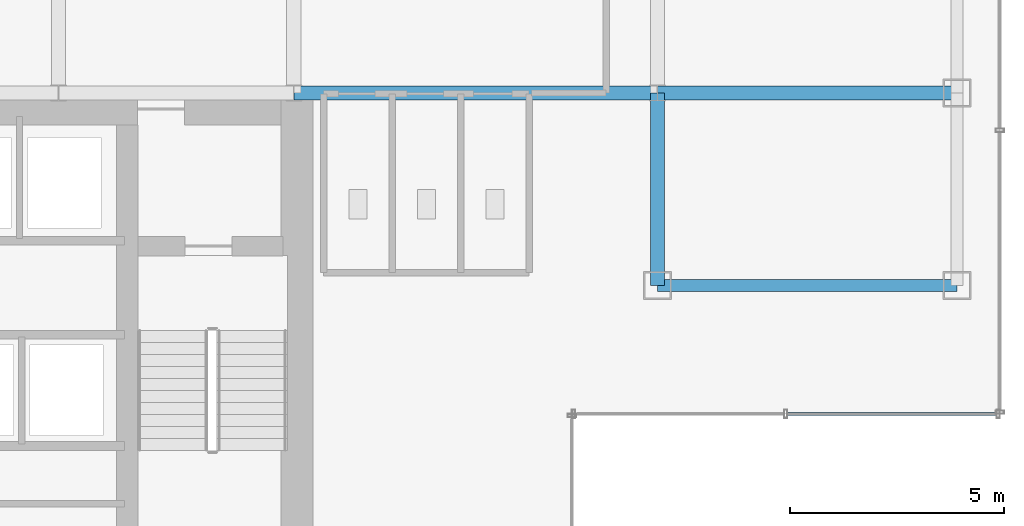
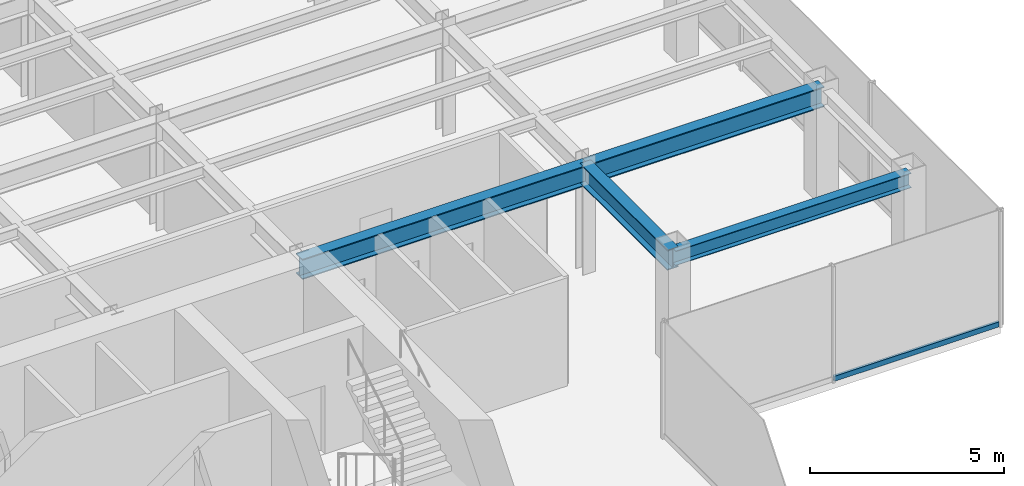
# One storey, part 10 of 25: 4 beams, 1 member, 1 element without a shape of its own.
"""IFC4 building model written with IfcOpenShell, lengths in metres."""

from ifc_helpers import new_model, si_unit, derived_unit, direction, frame, origin, origin_2d, place, context, subcontext, project, spatial, hollow_rectangle, i_section, extrude, source, transform, mapped, material, material_profile, profile_set, type_object, element, aggregate, save


model = new_model("IFC4")

# Units and contexts
model_context = context("Model", 3, precision=1e-05, world=origin(), true_north=direction((0.0, 1.0)))
body_context = subcontext(model_context, "Body", "Model", "MODEL_VIEW")
ifc_project = project(units=[si_unit("LENGTHUNIT", "METRE"), si_unit("AREAUNIT", "SQUARE_METRE"), si_unit("VOLUMEUNIT", "CUBIC_METRE"), si_unit("PLANEANGLEUNIT", "RADIAN"), si_unit("MASSUNIT", "GRAM", prefix="KILO"), derived_unit("THERMALTRANSMITTANCEUNIT", [(si_unit("POWERUNIT", "WATT"), 1), (si_unit("LENGTHUNIT", "METRE"), -2), (si_unit("THERMODYNAMICTEMPERATUREUNIT", "KELVIN"), -1)])], contexts=[model_context])

# Site, building, storey
site_placement = place(None, origin())
site = spatial("IfcSite", under=ifc_project, at=site_placement, CompositionType="ELEMENT")
building_placement = place(site_placement, origin())
building = spatial("IfcBuilding", under=site, at=building_placement, Name="Skarnbrae Concourse Arena and Tower", CompositionType="ELEMENT")
storey_placement = place(building_placement, frame((0.0, 0.0, 155.199951171875)))
storey = spatial("IfcBuildingStorey", under=building, at=storey_placement, Name="L39", CompositionType="ELEMENT", Elevation=155.199951171875)

# Beams
ifc_material_1 = material(Name="Steel CSA G40.21 350W", Category="steel")
ifc_material_profile_1 = material_profile(ifc_material_1, i_section(OverallWidth=0.280029296875, OverallDepth=0.462890625, WebThickness=0.0107421875, FlangeThickness=0.017333984375, at=origin_2d()), Name="W460X113")
ifc_profile_set_1 = profile_set([ifc_material_profile_1], Name="Steel CSA G40.21 350W")
beam_type_1 = type_object("IfcBeamType", Name="BM-SPAN-W460X113", PredefinedType="SPANDREL", material=ifc_profile_set_1)
shared_shape_1 = source(origin(), body_context, "Body", "SweptSolid", [
    extrude(i_section(OverallWidth=0.280029296875, OverallDepth=0.462890625, WebThickness=0.0107421875, FlangeThickness=0.017333984375, at=origin_2d()), origin(), (0.0, 0.0, 1.0), 7.0),
])
beam_1_placement = place(storey_placement, frame((42.0, 9.5, 3.16845703125), z_axis=(1.0, 0.0, 0.0), x_axis=(0.0, 1.0, 0.0)))
element("IfcBeam", 1, at=beam_1_placement, inside=storey, type_object=beam_type_1, Name="L39 Perimeter spandrel Y9.5-2", PredefinedType="SPANDREL", context=body_context, shape_type="MappedRepresentation", body=[
    mapped(shared_shape_1, transform((0.0, 0.0, 0.0))),
])
ifc_material_profile_2 = material_profile(ifc_material_1, i_section(OverallWidth=0.3291015625, OverallDepth=0.635009765625, WebThickness=0.017822265625, FlangeThickness=0.031005859375, at=origin_2d()), Name="W610X241")
ifc_profile_set_2 = profile_set([ifc_material_profile_2], Name="Steel CSA G40.21 350W")
beam_type_2 = type_object("IfcBeamType", Name="BM-GIRD-W610X241", PredefinedType="BEAM", material=ifc_profile_set_2)
shared_shape_2 = source(origin(), body_context, "Body", "SweptSolid", [
    extrude(i_section(OverallWidth=0.3291015625, OverallDepth=0.635009765625, WebThickness=0.017822265625, FlangeThickness=0.031005859375, at=origin_2d()), origin(), (0.0, 0.0, 1.0), 8.5),
])
beam_2_placement = place(storey_placement, frame((33.5, 14.0, 3.08251953125), z_axis=(1.0, 0.0, 0.0), x_axis=(0.0, 1.0, 0.0)))
element("IfcBeam", 2, at=beam_2_placement, inside=storey, type_object=beam_type_2, Name="L39 Primary E-W girder Y14.0-6", PredefinedType="BEAM", context=body_context, shape_type="MappedRepresentation", body=[
    mapped(shared_shape_2, transform((0.0, 0.0, 0.0))),
])
shared_shape_3 = source(origin(), body_context, "Body", "SweptSolid", [
    extrude(i_section(OverallWidth=0.3291015625, OverallDepth=0.635009765625, WebThickness=0.017822265625, FlangeThickness=0.031005859375, at=origin_2d()), origin(), (0.0, 0.0, 1.0), 7.0),
])
beam_3_placement = place(storey_placement, frame((42.0, 14.0, 3.08251953125), z_axis=(1.0, 0.0, 0.0), x_axis=(0.0, 1.0, 0.0)))
element("IfcBeam", 3, at=beam_3_placement, inside=storey, type_object=beam_type_2, Name="L39 Primary E-W girder Y14.0-7", PredefinedType="BEAM", context=body_context, shape_type="MappedRepresentation", body=[
    mapped(shared_shape_3, transform((0.0, 0.0, 0.0))),
])
shared_shape_4 = source(origin(), body_context, "Body", "SweptSolid", [
    extrude(i_section(OverallWidth=0.3291015625, OverallDepth=0.635009765625, WebThickness=0.017822265625, FlangeThickness=0.031005859375, at=origin_2d()), origin(), (0.0, 0.0, 1.0), 4.5),
])
beam_4_placement = place(storey_placement, frame((42.0, 9.5, 3.08251953125), z_axis=(0.0, 1.0, 0.0), x_axis=(-1.0, 0.0, 0.0)))
element("IfcBeam", 4, at=beam_4_placement, inside=storey, type_object=beam_type_2, Name="L39 Primary N-S girder X42.0-1", PredefinedType="BEAM", context=body_context, shape_type="MappedRepresentation", body=[
    mapped(shared_shape_4, transform((0.0, 0.0, 0.0))),
])

# Curtain wall, member
ifc_material_2 = material(Name="Bronze anodised aluminium 6063-T6", Category="aluminium")
curtain_wall_type = type_object("IfcCurtainWallType", Name="CW-SYS-04-MIDZONE", PredefinedType="USERDEFINED", material=ifc_material_2)
curtain_wall_placement = place(storey_placement, origin())
curtain_wall = element("IfcCurtainWall", 5, at=curtain_wall_placement, inside=storey, type_object=curtain_wall_type, Name="L39 Unitised curtain wall CW-L39-E03", ObjectType="UNITISED CURTAIN WALL", PredefinedType="USERDEFINED")
ifc_material_profile_3 = material_profile(ifc_material_2, hollow_rectangle(XDim=0.074951171875, YDim=0.159912109375, WallThickness=0.00439453125, at=origin_2d()), Name="ALU-TRAN-75X160")
ifc_profile_set_3 = profile_set([ifc_material_profile_3], Name="Bronze anodised aluminium 6063-T6")
member_type = type_object("IfcMemberType", Name="CWT-CW-04", PredefinedType="USERDEFINED", material=ifc_profile_set_3)
shared_shape_5 = source(origin(), body_context, "Body", "SweptSolid", [
    extrude(hollow_rectangle(XDim=0.074951171875, YDim=0.159912109375, WallThickness=0.00439453125, at=origin_2d()), origin(), (0.0, 0.0, 1.0), 4.887451171875),
])
member_placement = place(storey_placement, frame((45.03759765625, 6.5, 0.080078125), z_axis=(1.0, 0.0, 0.0), x_axis=(0.0, 1.0, 0.0)))
member = element("IfcMember", 6, at=member_placement, type_object=member_type, Name="CW-L39-E03 Transom 2", ObjectType="TRANSOM", PredefinedType="USERDEFINED", context=body_context, shape_type="MappedRepresentation", body=[
    mapped(shared_shape_5, transform((0.0, 0.0, 0.0))),
])
aggregate(curtain_wall, [member])

save(model, "model.ifc")
